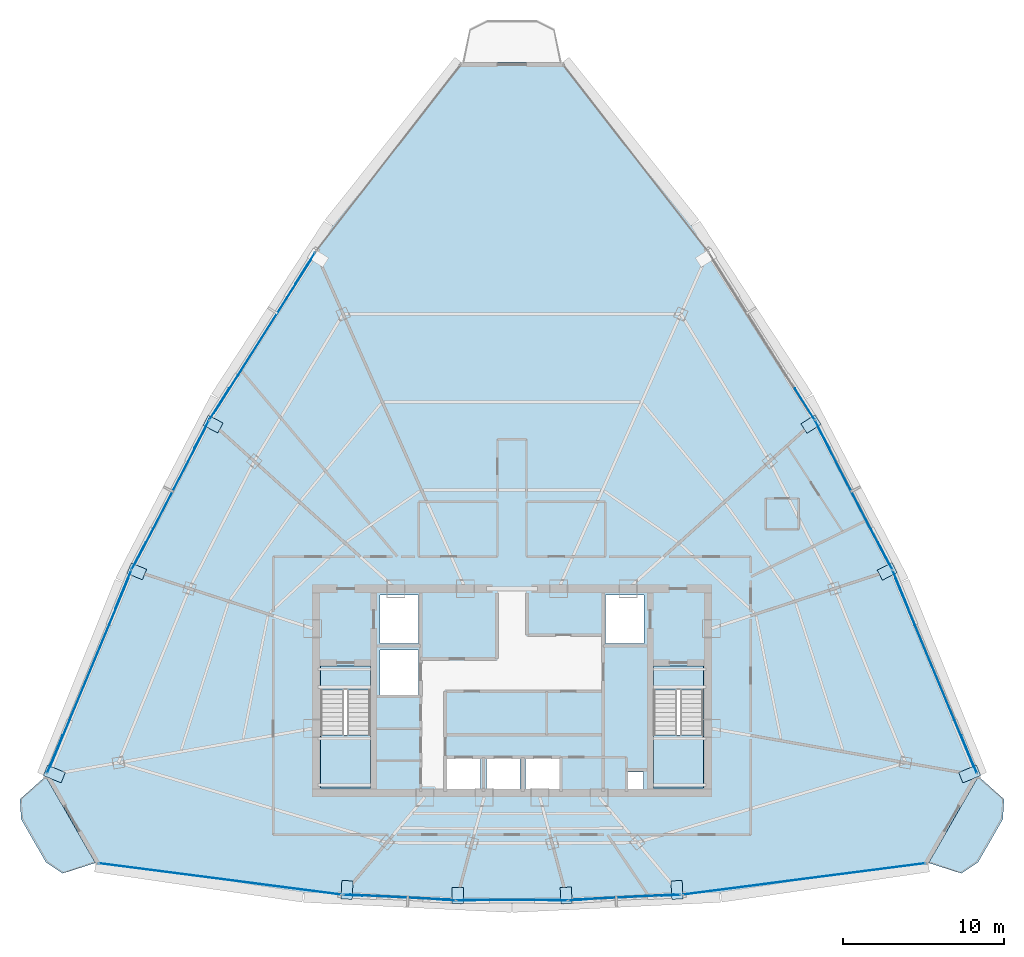
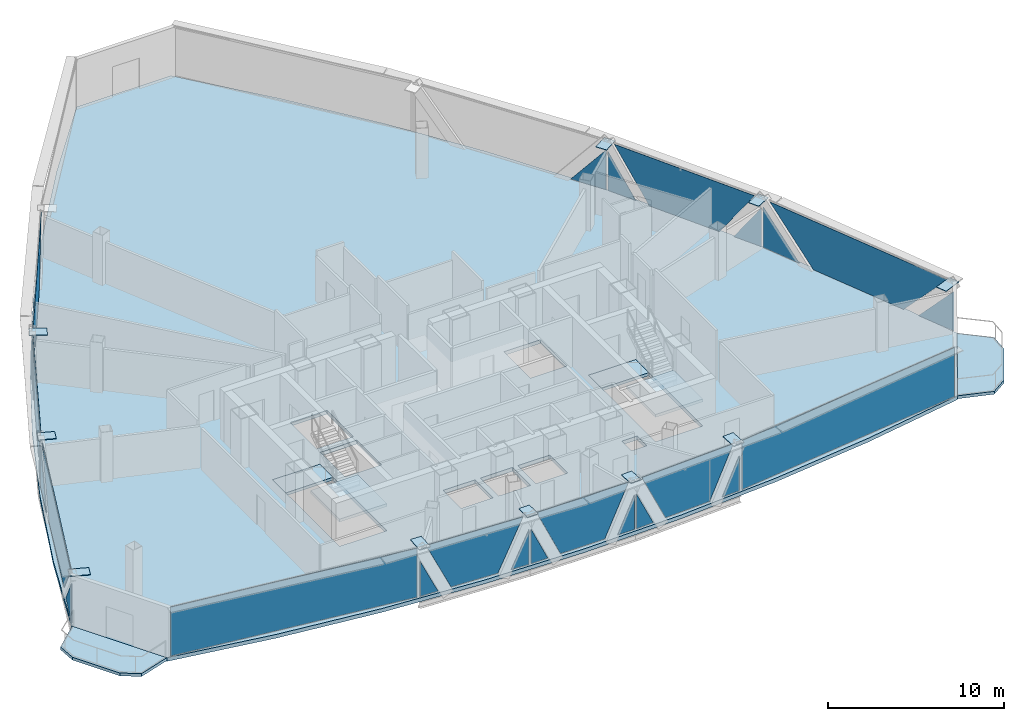
# One storey, part 27 of 34: 37 plates, 7 slabs, 13 elements without a shape of their own.
"""IFC4 building model written with IfcOpenShell, lengths in metres."""

from ifc_helpers import new_model, si_unit, direction, frame, origin, origin_2d, place, context, subcontext, project, spatial, polyline, rectangle, outline, extrude, source, transform, mapped, material, layer, layer_set, type_object, element, aggregate, save


model = new_model("IFC4")

# Units and contexts
model_context = context("Model", 3, precision=1e-05, world=origin(), true_north=direction((0.0, 1.0)))
body_context = subcontext(model_context, "Body", "Model", "MODEL_VIEW")
ifc_project = project(units=[si_unit("LENGTHUNIT", "METRE"), si_unit("AREAUNIT", "SQUARE_METRE"), si_unit("VOLUMEUNIT", "CUBIC_METRE"), si_unit("PLANEANGLEUNIT", "RADIAN"), si_unit("MASSUNIT", "GRAM", prefix="KILO"), si_unit("THERMODYNAMICTEMPERATUREUNIT", "KELVIN"), si_unit("POWERUNIT", "WATT")], contexts=[model_context])

# Site, building, storey
site_placement = place(None, origin())
site = spatial("IfcSite", under=ifc_project, at=site_placement, CompositionType="ELEMENT")
building_placement = place(site_placement, origin())
building = spatial("IfcBuilding", under=site, at=building_placement, Name="Yunzhuo Pagoda Commons", CompositionType="ELEMENT")
storey_placement = place(building_placement, frame((0.0, 0.0, 333.010009765625)))
storey = spatial("IfcBuildingStorey", under=building, at=storey_placement, Name="L83", CompositionType="ELEMENT", Elevation=333.010009765625)

# Curtain wall, plates
ifc_material_1 = material(Name="Anodized aluminium 6063-T6", Category="aluminium")
ifc_layer_1 = layer(ifc_material_1, 0.139892578125)
ifc_layer_set_1 = layer_set([ifc_layer_1], Name="Anodized aluminium 6063-T6")
curtain_wall_type = type_object("IfcCurtainWallType", Name="CW-HI High-Zone Ribbon Curtain Wall", PredefinedType="NOTDEFINED", material=ifc_layer_set_1)
curtain_wall_1_placement = place(storey_placement, origin())
curtain_wall_1 = element("IfcCurtainWall", 1, at=curtain_wall_1_placement, inside=storey, type_object=curtain_wall_type, Name="L83 curtain wall CW-L83-F1B2", PredefinedType="NOTDEFINED")
ifc_material_2 = material(Name="Tempered low-e double glazing", Category="glass")
ifc_layer_2 = layer(ifc_material_2, 0.02587890625)
ifc_layer_set_2 = layer_set([ifc_layer_2], Name="Tempered low-e double glazing")
plate_type_1 = type_object("IfcPlateType", Name="CW-HI-P Low-E Double Glazing 26", PredefinedType="CURTAIN_PANEL", material=ifc_layer_set_2)
plate_1_placement = place(storey_placement, frame((38.115234375, 21.15185546875, 1.26318359375), z_axis=(-0.049850155702, -0.998756708101, 0.0), x_axis=(0.998756708101, -0.049850155702, 0.0)))
plate_1 = element("IfcPlate", 2, at=plate_1_placement, type_object=plate_type_1, Name="CW panel 1.1 lite 1", PredefinedType="CURTAIN_PANEL", context=body_context, shape_type="SweptSolid", body=[
    extrude(outline(polyline([(-0.569580078125, -1.208251953125), (0.569580078125, -1.208251953125), (-0.569580078125, 1.208251953125), (-0.569580078125, -1.208251953125)])), origin(), (0.0, 0.0, 1.0), 0.028076171875),
])
plate_2_placement = place(storey_placement, frame((41.01904296875, 21.037109375, 1.744873046875), z_axis=(-0.049850155702, -0.998756708101, 0.0), x_axis=(0.998756708101, -0.049850155702, 0.0)))
plate_2 = element("IfcPlate", 3, at=plate_2_placement, type_object=plate_type_1, Name="CW panel 1.1 lite 2", PredefinedType="CURTAIN_PANEL", context=body_context, shape_type="SweptSolid", body=[
    extrude(outline(polyline([(-3.089599609375, 1.68994140625), (-1.49609375, -1.68994140625), (1.49609375, -1.68994140625), (3.089599609375, 1.68994140625), (-3.089599609375, 1.68994140625)])), origin(), (0.0, 0.0, 1.0), 0.028076171875),
])
plate_3_placement = place(storey_placement, frame((43.919921875, 20.8623046875, 1.26318359375), z_axis=(-0.049850155702, -0.998756708101, 0.0), x_axis=(0.998756708101, -0.049850155702, 0.0)))
plate_3 = element("IfcPlate", 4, at=plate_3_placement, type_object=plate_type_1, Name="CW panel 1.1 lite 3", PredefinedType="CURTAIN_PANEL", context=body_context, shape_type="SweptSolid", body=[
    extrude(outline(polyline([(-0.569580078125, -1.208251953125), (0.569580078125, -1.208251953125), (0.569580078125, 1.208251953125), (-0.569580078125, -1.208251953125)])), origin(), (0.0, 0.0, 1.0), 0.028076171875),
])
aggregate(curtain_wall_1, [plate_1, plate_2, plate_3])

curtain_wall_2_placement = place(storey_placement, origin())
curtain_wall_2 = element("IfcCurtainWall", 5, at=curtain_wall_2_placement, inside=storey, type_object=curtain_wall_type, Name="L83 curtain wall CW-L83-F1B3", PredefinedType="NOTDEFINED")
plate_4_placement = place(storey_placement, frame((45.159423828125, 20.8310546875, 1.2529296875), z_axis=(0.0, -1.0, 0.0), x_axis=(1.0, 0.0, 0.0)))
plate_4 = element("IfcPlate", 6, at=plate_4_placement, type_object=plate_type_1, Name="CW panel 1.1 lite 1", PredefinedType="CURTAIN_PANEL", context=body_context, shape_type="SweptSolid", body=[
    extrude(outline(polyline([(-0.55126953125, -1.197998046875), (0.551513671875, -1.197998046875), (-0.55126953125, 1.197998046875), (-0.55126953125, -1.197998046875)])), origin(), (0.0, 0.0, 1.0), 0.028076171875),
])
plate_5_placement = place(storey_placement, frame((48.0, 20.86083984375, 1.744873046875), z_axis=(0.0, -1.0, 0.0), x_axis=(1.0, 0.0, 0.0)))
plate_5 = element("IfcPlate", 7, at=plate_5_placement, type_object=plate_type_1, Name="CW panel 1.1 lite 2", PredefinedType="CURTAIN_PANEL", context=body_context, shape_type="SweptSolid", body=[
    extrude(outline(polyline([(-3.00830078125, 1.68994140625), (-1.45263671875, -1.68994140625), (1.45263671875, -1.68994140625), (3.00830078125, 1.68994140625), (-3.00830078125, 1.68994140625)])), origin(), (0.0, 0.0, 1.0), 0.028076171875),
])
plate_6_placement = place(storey_placement, frame((50.840576171875, 20.8310546875, 1.2529296875), z_axis=(0.0, -1.0, 0.0), x_axis=(1.0, 0.0, 0.0)))
plate_6 = element("IfcPlate", 8, at=plate_6_placement, type_object=plate_type_1, Name="CW panel 1.1 lite 3", PredefinedType="CURTAIN_PANEL", context=body_context, shape_type="SweptSolid", body=[
    extrude(outline(polyline([(-0.551513671875, -1.197998046875), (0.55126953125, -1.197998046875), (0.55126953125, 1.197998046875), (-0.551513671875, -1.197998046875)])), origin(), (0.0, 0.0, 1.0), 0.028076171875),
])
aggregate(curtain_wall_2, [plate_4, plate_5, plate_6])

curtain_wall_3_placement = place(storey_placement, origin())
curtain_wall_3 = element("IfcCurtainWall", 9, at=curtain_wall_3_placement, inside=storey, type_object=curtain_wall_type, Name="L83 curtain wall CW-L83-F1B4", PredefinedType="NOTDEFINED")
plate_7_placement = place(storey_placement, frame((52.080078125, 20.8623046875, 1.26318359375), z_axis=(0.049850155702, -0.998756708101, 0.0), x_axis=(0.998756708101, 0.049850155702, 0.0)))
plate_7 = element("IfcPlate", 10, at=plate_7_placement, type_object=plate_type_1, Name="CW panel 1.1 lite 1", PredefinedType="CURTAIN_PANEL", context=body_context, shape_type="SweptSolid", body=[
    extrude(outline(polyline([(-0.569580078125, -1.208251953125), (0.569580078125, -1.208251953125), (-0.569580078125, 1.208251953125), (-0.569580078125, -1.208251953125)])), origin(), (0.0, 0.0, 1.0), 0.028076171875),
])
plate_8_placement = place(storey_placement, frame((54.98095703125, 21.037109375, 1.744873046875), z_axis=(0.049850155702, -0.998756708101, 0.0), x_axis=(0.998756708101, 0.049850155702, 0.0)))
plate_8 = element("IfcPlate", 11, at=plate_8_placement, type_object=plate_type_1, Name="CW panel 1.1 lite 2", PredefinedType="CURTAIN_PANEL", context=body_context, shape_type="SweptSolid", body=[
    extrude(outline(polyline([(-3.089599609375, 1.68994140625), (-1.49609375, -1.68994140625), (1.49609375, -1.68994140625), (3.089599609375, 1.68994140625), (-3.089599609375, 1.68994140625)])), origin(), (0.0, 0.0, 1.0), 0.028076171875),
])
plate_9_placement = place(storey_placement, frame((57.884765625, 21.15185546875, 1.26318359375), z_axis=(0.049850155702, -0.998756708101, 0.0), x_axis=(0.998756708101, 0.049850155702, 0.0)))
plate_9 = element("IfcPlate", 12, at=plate_9_placement, type_object=plate_type_1, Name="CW panel 1.1 lite 3", PredefinedType="CURTAIN_PANEL", context=body_context, shape_type="SweptSolid", body=[
    extrude(outline(polyline([(-0.569580078125, -1.208251953125), (0.569580078125, -1.208251953125), (0.569580078125, 1.208251953125), (-0.569580078125, -1.208251953125)])), origin(), (0.0, 0.0, 1.0), 0.028076171875),
])
aggregate(curtain_wall_3, [plate_7, plate_8, plate_9])

curtain_wall_4_placement = place(storey_placement, origin())
curtain_wall_4 = element("IfcCurtainWall", 13, at=curtain_wall_4_placement, inside=storey, type_object=curtain_wall_type, Name="L83 curtain wall CW-L83-F2B2", PredefinedType="NOTDEFINED")
plate_10_placement = place(storey_placement, frame((76.406982421875, 29.908203125, 1.427978515625), z_axis=(0.923407166951, 0.383821838909, 0.0), x_axis=(-0.383821838909, 0.923407166951, 0.0)))
plate_10 = element("IfcPlate", 14, at=plate_10_placement, type_object=plate_type_1, Name="CW panel 1.1 lite 1", PredefinedType="CURTAIN_PANEL", context=body_context, shape_type="SweptSolid", body=[
    extrude(outline(polyline([(-1.263671875, -1.373046875), (1.263671875, -1.373046875), (-1.263671875, 1.373046875), (-1.263671875, -1.373046875)])), origin(), (0.0, 0.0, 1.0), 0.028076171875),
])
plate_11_placement = place(storey_placement, frame((74.26025390625, 34.99462890625, 1.744873046875), z_axis=(0.923407166951, 0.383821838909, 0.0), x_axis=(-0.383821838909, 0.923407166951, 0.0)))
plate_11 = element("IfcPlate", 15, at=plate_11_placement, type_object=plate_type_1, Name="CW panel 1.1 lite 2", PredefinedType="CURTAIN_PANEL", context=body_context, shape_type="SweptSolid", body=[
    extrude(outline(polyline([(-6.3349609375, 1.68994140625), (-3.224609375, -1.68994140625), (3.224609375, -1.68994140625), (6.3349609375, 1.68994140625), (-6.3349609375, 1.68994140625)])), origin(), (0.0, 0.0, 1.0), 0.028076171875),
])
plate_12_placement = place(storey_placement, frame((72.157958984375, 40.130615234375, 1.459228515625), z_axis=(0.923407166951, 0.383821838909, 0.0), x_axis=(-0.383821838909, 0.923407166951, 0.0)))
plate_12 = element("IfcPlate", 16, at=plate_12_placement, type_object=plate_type_1, Name="CW panel 1.1 lite 3", PredefinedType="CURTAIN_PANEL", context=body_context, shape_type="SweptSolid", body=[
    extrude(outline(polyline([(-1.292236328125, -1.404296875), (1.292236328125, -1.404296875), (1.292236328125, 1.404296875), (-1.292236328125, -1.404296875)])), origin(), (0.0, 0.0, 1.0), 0.028076171875),
])
aggregate(curtain_wall_4, [plate_10, plate_11, plate_12])

curtain_wall_5_placement = place(storey_placement, origin())
curtain_wall_5 = element("IfcCurtainWall", 17, at=curtain_wall_5_placement, inside=storey, type_object=curtain_wall_type, Name="L83 curtain wall CW-L83-F2B3", PredefinedType="NOTDEFINED")
plate_13_placement = place(storey_placement, frame((71.181396484375, 42.262451171875, 1.397216796875), z_axis=(0.88794759819, 0.45994463022, 0.0), x_axis=(-0.45994463022, 0.88794759819, 0.0)))
plate_13 = element("IfcPlate", 18, at=plate_13_placement, type_object=plate_type_1, Name="CW panel 1.1 lite 1", PredefinedType="CURTAIN_PANEL", context=body_context, shape_type="SweptSolid", body=[
    extrude(outline(polyline([(-0.935302734375, -1.34228515625), (0.935302734375, -1.34228515625), (-0.935302734375, 1.34228515625), (-0.935302734375, -1.34228515625)])), origin(), (0.0, 0.0, 1.0), 0.028076171875),
])
plate_14_placement = place(storey_placement, frame((69.208740234375, 46.005859375, 1.744873046875), z_axis=(0.88794759819, 0.45994463022, 0.0), x_axis=(-0.45994463022, 0.88794759819, 0.0)))
plate_14 = element("IfcPlate", 19, at=plate_14_placement, type_object=plate_type_1, Name="CW panel 1.1 lite 2", PredefinedType="CURTAIN_PANEL", context=body_context, shape_type="SweptSolid", body=[
    extrude(outline(polyline([(-4.72509765625, 1.68994140625), (-2.36962890625, -1.68994140625), (2.36962890625, -1.68994140625), (4.72509765625, 1.68994140625), (-4.72509765625, 1.68994140625)])), origin(), (0.0, 0.0, 1.0), 0.028076171875),
])
plate_15_placement = place(storey_placement, frame((67.2890625, 49.77685546875, 1.397216796875), z_axis=(0.88794759819, 0.45994463022, 0.0), x_axis=(-0.45994463022, 0.88794759819, 0.0)))
plate_15 = element("IfcPlate", 20, at=plate_15_placement, type_object=plate_type_1, Name="CW panel 1.1 lite 3", PredefinedType="CURTAIN_PANEL", context=body_context, shape_type="SweptSolid", body=[
    extrude(outline(polyline([(-0.935302734375, -1.34228515625), (0.935302734375, -1.34228515625), (0.935302734375, 1.34228515625), (-0.935302734375, -1.34228515625)])), origin(), (0.0, 0.0, 1.0), 0.028076171875),
])
aggregate(curtain_wall_5, [plate_13, plate_14, plate_15])

# Curtain wall, plate
curtain_wall_6_placement = place(storey_placement, origin())
curtain_wall_6 = element("IfcCurtainWall", 21, at=curtain_wall_6_placement, inside=storey, type_object=curtain_wall_type, Name="L83 curtain wall CW-L83-F2B4", PredefinedType="NOTDEFINED")
plate_16_placement = place(storey_placement, frame((66.188720703125, 51.676025390625, 1.43798828125), z_axis=(0.845148830397, 0.534531060349, 0.0), x_axis=(-0.534531060349, 0.845148830397, 0.0)))
plate_16 = element("IfcPlate", 22, at=plate_16_placement, type_object=plate_type_1, Name="CW panel 1.1 lite 1", PredefinedType="CURTAIN_PANEL", context=body_context, shape_type="SweptSolid", body=[
    extrude(outline(polyline([(-1.142822265625, -1.3828125), (1.142578125, -1.3828125), (-1.142822265625, 1.3828125), (-1.142822265625, -1.3828125)])), origin(), (0.0, 0.0, 1.0), 0.028076171875),
])
aggregate(curtain_wall_6, [plate_16])

# Curtain wall, plates
curtain_wall_7_placement = place(storey_placement, origin())
curtain_wall_7 = element("IfcCurtainWall", 23, at=curtain_wall_7_placement, inside=storey, type_object=curtain_wall_type, Name="L83 curtain wall CW-L83-F3B2", PredefinedType="NOTDEFINED")
plate_17_placement = place(storey_placement, frame((35.15087890625, 60.11865234375, 1.43798828125), z_axis=(-0.845148830397, 0.534531060349, 0.0), x_axis=(-0.534531060349, -0.845148830397, 0.0)))
plate_17 = element("IfcPlate", 24, at=plate_17_placement, type_object=plate_type_1, Name="CW panel 1.1 lite 1", PredefinedType="CURTAIN_PANEL", context=body_context, shape_type="SweptSolid", body=[
    extrude(outline(polyline([(-1.142822265625, -1.3828125), (1.142578125, -1.3828125), (-1.142822265625, 1.3828125), (-1.142822265625, -1.3828125)])), origin(), (0.0, 0.0, 1.0), 0.028076171875),
])
plate_18_placement = place(storey_placement, frame((32.50634765625, 55.88134765625, 1.744873046875), z_axis=(-0.845148830397, 0.534531060349, 0.0), x_axis=(-0.534531060349, -0.845148830397, 0.0)))
plate_18 = element("IfcPlate", 25, at=plate_18_placement, type_object=plate_type_1, Name="CW panel 1.1 lite 2", PredefinedType="CURTAIN_PANEL", context=body_context, shape_type="SweptSolid", body=[
    extrude(outline(polyline([(-5.6591796875, 1.68994140625), (-2.8662109375, -1.68994140625), (2.8662109375, -1.68994140625), (5.6591796875, 1.68994140625), (-5.6591796875, 1.68994140625)])), origin(), (0.0, 0.0, 1.0), 0.028076171875),
])
plate_19_placement = place(storey_placement, frame((29.811279296875, 51.676025390625, 1.43798828125), z_axis=(-0.845148830397, 0.534531060349, 0.0), x_axis=(-0.534531060349, -0.845148830397, 0.0)))
plate_19 = element("IfcPlate", 26, at=plate_19_placement, type_object=plate_type_1, Name="CW panel 1.1 lite 3", PredefinedType="CURTAIN_PANEL", context=body_context, shape_type="SweptSolid", body=[
    extrude(outline(polyline([(-1.142578125, -1.3828125), (1.142822265625, -1.3828125), (1.142822265625, 1.3828125), (-1.142578125, -1.3828125)])), origin(), (0.0, 0.0, 1.0), 0.028076171875),
])
aggregate(curtain_wall_7, [plate_17, plate_18, plate_19])

curtain_wall_8_placement = place(storey_placement, origin())
curtain_wall_8 = element("IfcCurtainWall", 27, at=curtain_wall_8_placement, inside=storey, type_object=curtain_wall_type, Name="L83 curtain wall CW-L83-F3B3", PredefinedType="NOTDEFINED")
plate_20_placement = place(storey_placement, frame((28.7109375, 49.77685546875, 1.397216796875), z_axis=(-0.88794759819, 0.45994463022, 0.0), x_axis=(-0.45994463022, -0.88794759819, 0.0)))
plate_20 = element("IfcPlate", 28, at=plate_20_placement, type_object=plate_type_1, Name="CW panel 1.1 lite 1", PredefinedType="CURTAIN_PANEL", context=body_context, shape_type="SweptSolid", body=[
    extrude(outline(polyline([(-0.935302734375, -1.34228515625), (0.935302734375, -1.34228515625), (-0.935302734375, 1.34228515625), (-0.935302734375, -1.34228515625)])), origin(), (0.0, 0.0, 1.0), 0.028076171875),
])
plate_21_placement = place(storey_placement, frame((26.791259765625, 46.005859375, 1.744873046875), z_axis=(-0.88794759819, 0.45994463022, 0.0), x_axis=(-0.45994463022, -0.88794759819, 0.0)))
plate_21 = element("IfcPlate", 29, at=plate_21_placement, type_object=plate_type_1, Name="CW panel 1.1 lite 2", PredefinedType="CURTAIN_PANEL", context=body_context, shape_type="SweptSolid", body=[
    extrude(outline(polyline([(-4.72509765625, 1.68994140625), (-2.36962890625, -1.68994140625), (2.36962890625, -1.68994140625), (4.72509765625, 1.68994140625), (-4.72509765625, 1.68994140625)])), origin(), (0.0, 0.0, 1.0), 0.028076171875),
])
plate_22_placement = place(storey_placement, frame((24.818603515625, 42.262451171875, 1.397216796875), z_axis=(-0.88794759819, 0.45994463022, 0.0), x_axis=(-0.45994463022, -0.88794759819, 0.0)))
plate_22 = element("IfcPlate", 30, at=plate_22_placement, type_object=plate_type_1, Name="CW panel 1.1 lite 3", PredefinedType="CURTAIN_PANEL", context=body_context, shape_type="SweptSolid", body=[
    extrude(outline(polyline([(-0.935302734375, -1.34228515625), (0.935302734375, -1.34228515625), (0.935302734375, 1.34228515625), (-0.935302734375, -1.34228515625)])), origin(), (0.0, 0.0, 1.0), 0.028076171875),
])
aggregate(curtain_wall_8, [plate_20, plate_21, plate_22])

curtain_wall_9_placement = place(storey_placement, origin())
curtain_wall_9 = element("IfcCurtainWall", 31, at=curtain_wall_9_placement, inside=storey, type_object=curtain_wall_type, Name="L83 curtain wall CW-L83-F3B4", PredefinedType="NOTDEFINED")
plate_23_placement = place(storey_placement, frame((23.842041015625, 40.130615234375, 1.459228515625), z_axis=(-0.923407166951, 0.383821838909, 0.0), x_axis=(-0.383821838909, -0.923407166951, 0.0)))
plate_23 = element("IfcPlate", 32, at=plate_23_placement, type_object=plate_type_1, Name="CW panel 1.1 lite 1", PredefinedType="CURTAIN_PANEL", context=body_context, shape_type="SweptSolid", body=[
    extrude(outline(polyline([(-1.292236328125, -1.404296875), (1.292236328125, -1.404296875), (-1.292236328125, 1.404296875), (-1.292236328125, -1.404296875)])), origin(), (0.0, 0.0, 1.0), 0.028076171875),
])
plate_24_placement = place(storey_placement, frame((21.73974609375, 34.99462890625, 1.744873046875), z_axis=(-0.923407166951, 0.383821838909, 0.0), x_axis=(-0.383821838909, -0.923407166951, 0.0)))
plate_24 = element("IfcPlate", 33, at=plate_24_placement, type_object=plate_type_1, Name="CW panel 1.1 lite 2", PredefinedType="CURTAIN_PANEL", context=body_context, shape_type="SweptSolid", body=[
    extrude(outline(polyline([(-6.3349609375, 1.68994140625), (-3.224609375, -1.68994140625), (3.224609375, -1.68994140625), (6.3349609375, 1.68994140625), (-6.3349609375, 1.68994140625)])), origin(), (0.0, 0.0, 1.0), 0.028076171875),
])
plate_25_placement = place(storey_placement, frame((19.593017578125, 29.908203125, 1.427978515625), z_axis=(-0.923407166951, 0.383821838909, 0.0), x_axis=(-0.383821838909, -0.923407166951, 0.0)))
plate_25 = element("IfcPlate", 34, at=plate_25_placement, type_object=plate_type_1, Name="CW panel 1.1 lite 3", PredefinedType="CURTAIN_PANEL", context=body_context, shape_type="SweptSolid", body=[
    extrude(outline(polyline([(-1.263671875, -1.373046875), (1.263671875, -1.373046875), (1.263671875, 1.373046875), (-1.263671875, -1.373046875)])), origin(), (0.0, 0.0, 1.0), 0.028076171875),
])
aggregate(curtain_wall_9, [plate_23, plate_24, plate_25])

# Slabs
ifc_material_3 = material(Name="Concrete C40", Category="concrete")
ifc_layer_3 = layer(ifc_material_3, 0.199951171875)
ifc_layer_set_3 = layer_set([ifc_layer_3], Name="Concrete C40")
slab_type_1 = type_object("IfcSlabType", Name="SL-BAL Vertex Balcony Deck Slab 200", PredefinedType="FLOOR", material=ifc_layer_set_3)
slab_1_placement = place(storey_placement, frame((0.0, 0.0, -0.199951171875)))
element("IfcSlab", 35, at=slab_1_placement, inside=storey, type_object=slab_type_1, Name="L83 corner balcony V1", PredefinedType="FLOOR", context=body_context, shape_type="SweptSolid", body=[
    extrude(outline(polyline([(19.00244140625, 28.541748046875), (22.095947265625, 23.15380859375), (20.054931640625, 22.5009765625), (19.02880859375, 23.183837890625), (17.48193359375, 25.877685546875), (17.40966796875, 27.1083984375), (19.00244140625, 28.541748046875)])), origin(), (0.0, 0.0, 1.0), 0.199951171875),
])
slab_2_placement = place(storey_placement, frame((0.0, 0.0, -0.199951171875)))
element("IfcSlab", 36, at=slab_2_placement, inside=storey, type_object=slab_type_1, Name="L83 corner balcony V2", PredefinedType="FLOOR", context=body_context, shape_type="SweptSolid", body=[
    extrude(outline(polyline([(73.904052734375, 23.15380859375), (76.99755859375, 28.541748046875), (78.59033203125, 27.1083984375), (78.51806640625, 25.877685546875), (76.97119140625, 23.183837890625), (75.945068359375, 22.5009765625), (73.904052734375, 23.15380859375)])), origin(), (0.0, 0.0, 1.0), 0.199951171875),
])

# Stair, slabs
stair_type_1 = type_object("IfcStairType", Name="ST-C1 Core Smokeproof Stair ST1", PredefinedType="HALF_TURN_STAIR", material=ifc_material_3)
stair_1_placement = place(storey_placement, origin())
stair_1 = element("IfcStair", 37, at=stair_1_placement, inside=storey, type_object=stair_type_1, Name="L83 Core smokeproof stair ST1", PredefinedType="HALF_TURN_STAIR")
ifc_layer_4 = layer(ifc_material_3, 0.199951171875)
ifc_layer_set_4 = layer_set([ifc_layer_4], Name="Concrete C40")
slab_type_2 = type_object("IfcSlabType", Name="SL-LND1 Stair Landing Slab 200", PredefinedType="LANDING", material=ifc_layer_set_4)
slab_3_placement = place(storey_placement, frame((0.0, 0.0, 1.675048828125)))
slab_3 = element("IfcSlab", 38, at=slab_3_placement, type_object=slab_type_2, Name="ST1 landing 1", PredefinedType="LANDING", context=body_context, shape_type="SweptSolid", body=[
    extrude(outline(polyline([(36.10009765625, 31.10009765625), (36.10009765625, 27.800048828125), (39.199951171875, 27.800048828125), (39.199951171875, 31.10009765625), (36.10009765625, 31.10009765625)])), origin(), (0.0, 0.0, 1.0), 0.199951171875),
])
slab_4_placement = place(storey_placement, frame((0.0, 0.0, -0.199951171875)))
slab_4 = element("IfcSlab", 39, at=slab_4_placement, type_object=slab_type_2, Name="ST1 floor landing L83", PredefinedType="LANDING", context=body_context, shape_type="SweptSolid", body=[
    extrude(outline(polyline([(36.10009765625, 35.39990234375), (36.10009765625, 33.89990234375), (39.199951171875, 33.89990234375), (39.199951171875, 35.39990234375), (36.10009765625, 35.39990234375)])), origin(), (0.0, 0.0, 1.0), 0.199951171875),
])
aggregate(stair_1, [slab_3, slab_4])

stair_type_2 = type_object("IfcStairType", Name="ST-C2 Core Smokeproof Stair ST2", PredefinedType="HALF_TURN_STAIR", material=ifc_material_3)
stair_2_placement = place(storey_placement, origin())
stair_2 = element("IfcStair", 40, at=stair_2_placement, inside=storey, type_object=stair_type_2, Name="L83 Core smokeproof stair ST2", PredefinedType="HALF_TURN_STAIR")
ifc_layer_5 = layer(ifc_material_3, 0.201904296875)
ifc_layer_set_5 = layer_set([ifc_layer_5], Name="Concrete C40")
slab_type_3 = type_object("IfcSlabType", Name="SL-LND2 Stair Landing Slab 202", PredefinedType="LANDING", material=ifc_layer_set_5)
slab_5_placement = place(storey_placement, frame((0.0, 0.0, 1.675048828125)))
slab_5 = element("IfcSlab", 41, at=slab_5_placement, type_object=slab_type_3, Name="ST2 landing 1", PredefinedType="LANDING", context=body_context, shape_type="SweptSolid", body=[
    extrude(outline(polyline([(56.800048828125, 31.10009765625), (56.800048828125, 27.800048828125), (59.89990234375, 27.800048828125), (59.89990234375, 31.10009765625), (56.800048828125, 31.10009765625)])), origin(), (0.0, 0.0, 1.0), 0.199951171875),
])
slab_6_placement = place(storey_placement, frame((0.0, 0.0, -0.199951171875)))
slab_6 = element("IfcSlab", 42, at=slab_6_placement, type_object=slab_type_3, Name="ST2 floor landing L83", PredefinedType="LANDING", context=body_context, shape_type="SweptSolid", body=[
    extrude(outline(polyline([(56.800048828125, 35.39990234375), (56.800048828125, 33.89990234375), (59.89990234375, 33.89990234375), (59.89990234375, 35.39990234375), (56.800048828125, 35.39990234375)])), origin(), (0.0, 0.0, 1.0), 0.199951171875),
])
aggregate(stair_2, [slab_5, slab_6])

# Slab
ifc_layer_6 = layer(ifc_material_3, 0.260009765625)
ifc_layer_set_6 = layer_set([ifc_layer_6], Name="Concrete C40")
slab_type_4 = type_object("IfcSlabType", Name="SL-TWR Typical Tower Floor Slab 260", PredefinedType="FLOOR", material=ifc_layer_set_6)
slab_7_placement = place(storey_placement, frame((0.0, 0.0, -0.260009765625)))
element("IfcSlab", 43, at=slab_7_placement, inside=storey, type_object=slab_type_4, Name="L83 structural floor slab", PredefinedType="FLOOR", context=body_context, shape_type="SweptSolid", body=[
    extrude(outline(polyline([(21.291748046875, 34.646240234375), (23.84912109375, 40.589599609375), (26.67822265625, 46.373779296875), (29.77978515625, 51.99951171875), (33.1533203125, 57.46630859375), (36.798828125, 62.774169921875), (40.716552734375, 67.923095703125), (44.906494140625, 72.913330078125), (51.093505859375, 72.913330078125), (55.283447265625, 67.923095703125), (59.201171875, 62.774169921875), (62.8466796875, 57.46630859375), (66.22021484375, 51.99951171875), (69.32177734375, 46.373779296875), (72.15087890625, 40.589599609375), (74.708251953125, 34.646240234375), (76.993408203125, 28.544189453125), (73.89990234375, 23.156494140625), (67.4248046875, 22.0537109375), (60.949951171875, 21.265869140625), (54.474853515625, 20.793212890625), (48.0, 20.6357421875), (41.525146484375, 20.793212890625), (35.050048828125, 21.265869140625), (28.5751953125, 22.0537109375), (22.10009765625, 23.156494140625), (19.006591796875, 28.544189453125), (21.291748046875, 34.646240234375)]), holes=[polyline([(56.179931640625, 28.800048828125), (55.179931640625, 28.800048828125), (55.179931640625, 27.699951171875), (56.179931640625, 27.699951171875), (56.179931640625, 28.800048828125)]), polyline([(46.050048828125, 29.64990234375), (43.949951171875, 29.64990234375), (43.949951171875, 27.60009765625), (46.050048828125, 27.60009765625), (46.050048828125, 29.64990234375)]), polyline([(48.5, 29.64990234375), (46.39990234375, 29.64990234375), (46.39990234375, 27.60009765625), (48.5, 27.60009765625), (48.5, 29.64990234375)]), polyline([(50.949951171875, 29.64990234375), (48.85009765625, 29.64990234375), (48.85009765625, 27.60009765625), (50.949951171875, 27.60009765625), (50.949951171875, 29.64990234375)]), polyline([(39.199951171875, 27.800048828125), (39.199951171875, 35.39990234375), (36.10009765625, 35.39990234375), (36.10009765625, 27.800048828125), (39.199951171875, 27.800048828125)]), polyline([(59.89990234375, 27.800048828125), (59.89990234375, 35.39990234375), (56.800048828125, 35.39990234375), (56.800048828125, 27.800048828125), (59.89990234375, 27.800048828125)]), polyline([(42.199951171875, 36.39990234375), (39.800048828125, 36.39990234375), (39.800048828125, 33.60009765625), (42.199951171875, 33.60009765625), (42.199951171875, 36.39990234375)]), polyline([(42.199951171875, 36.800048828125), (42.199951171875, 39.800048828125), (39.800048828125, 39.800048828125), (39.800048828125, 36.800048828125), (42.199951171875, 36.800048828125)]), polyline([(56.199951171875, 36.800048828125), (56.199951171875, 39.800048828125), (53.800048828125, 39.800048828125), (53.800048828125, 36.800048828125), (56.199951171875, 36.800048828125)])]), origin(), (0.0, 0.0, 1.0), 0.260009765625),
])

# Plates
ifc_material_4 = material(Name="Structural steel Q355B", Category="steel")
ifc_layer_7 = layer(ifc_material_4, 0.028076171875)
ifc_layer_set_7 = layer_set([ifc_layer_7], Name="Structural steel Q355B")
plate_type_2 = type_object("IfcPlateType", Name="SP-ND1 Lattice Node Cap Plate 800x500x28", PredefinedType="USERDEFINED", material=ifc_layer_set_7)
shared_shape_1 = source(origin(), body_context, "Body", "SweptSolid", [
    extrude(rectangle(XDim=0.699951171875, YDim=1.0078125, at=origin_2d()), origin(), (0.0, 0.0, 1.0), 0.035888671875),
])
for number, where, z_axis, x_axis, name in (
    (44, (44.63330078125, 21.134765625, 3.4521484375), (0.0, 0.0, 1.0), (1.0, 0.0, 0.0), "L83 setback lattice tie plate F1.2L"),
    (45, (51.36669921875, 21.134765625, 3.4521484375), (0.0, 0.0, 1.0), (0.998757045498, 0.049843395432, 0.0), "L83 setback lattice tie plate F1.3L"),
):
    element("IfcPlate", number, at=place(storey_placement, frame(where, z_axis=z_axis, x_axis=x_axis)), inside=storey, type_object=plate_type_2, Name=name, ObjectType="STIFFENER_PLATE", PredefinedType="USERDEFINED", context=body_context, shape_type="MappedRepresentation", body=[
        mapped(shared_shape_1, transform((0.0, 0.0, 0.0), scale=1.0)),
    ])
shared_shape_2 = source(origin(), body_context, "Body", "SweptSolid", [
    extrude(rectangle(XDim=0.699951171875, YDim=1.03564453125, at=origin_2d()), origin(), (0.0, 0.0, 1.0), 0.035888671875),
])
for number, where, z_axis, x_axis, name in (
    (46, (66.5888671875, 50.4375, 3.4521484375), (0.0, 0.0, 1.0), (-0.534529368893, 0.84514990019, 0.0), "L83 setback lattice tie plate F2.3L"),
    (47, (29.4111328125, 50.4375, 3.4521484375), (0.0, 0.0, 1.0), (-0.459951842017, -0.887943862541, 0.0), "L83 setback lattice tie plate F3.2L"),
):
    element("IfcPlate", number, at=place(storey_placement, frame(where, z_axis=z_axis, x_axis=x_axis)), inside=storey, type_object=plate_type_2, Name=name, ObjectType="STIFFENER_PLATE", PredefinedType="USERDEFINED", context=body_context, shape_type="MappedRepresentation", body=[
        mapped(shared_shape_2, transform((0.0, 0.0, 0.0), scale=1.0)),
    ])
shared_shape_3 = source(origin(), body_context, "Body", "SweptSolid", [
    extrude(rectangle(XDim=0.699951171875, YDim=1.0322265625, at=origin_2d()), origin(), (0.0, 0.0, 1.0), 0.035888671875),
])
for number, where, z_axis, x_axis, name in (
    (48, (71.327392578125, 41.279541015625, 3.4521484375), (0.0, 0.0, 1.0), (-0.459951842017, 0.887943862541, 0.0), "L83 setback lattice tie plate F2.2L"),
    (49, (24.672607421875, 41.279541015625, 3.4521484375), (0.0, 0.0, 1.0), (-0.378567847265, -0.925573543819, 0.0), "L83 setback lattice tie plate F3.3L"),
):
    element("IfcPlate", number, at=place(storey_placement, frame(where, z_axis=z_axis, x_axis=x_axis)), inside=storey, type_object=plate_type_2, Name=name, ObjectType="STIFFENER_PLATE", PredefinedType="USERDEFINED", context=body_context, shape_type="MappedRepresentation", body=[
        mapped(shared_shape_3, transform((0.0, 0.0, 0.0), scale=1.0)),
    ])
shared_shape_4 = source(origin(), body_context, "Body", "SweptSolid", [
    extrude(rectangle(XDim=0.699951171875, YDim=1.14892578125, at=origin_2d()), origin(), (0.0, 0.0, 1.0), 0.035888671875),
])
for number, where, z_axis, x_axis, name in (
    (50, (37.742431640625, 21.475341796875, 3.4521484375), (0.0, 0.0, 1.0), (0.998757045498, -0.049843395432, 0.0), "L83 setback lattice tie plate F1.1L"),
    (51, (58.257568359375, 21.475341796875, 3.4521484375), (0.0, 0.0, 1.0), (0.998757045498, 0.049843395432, 0.0), "L83 setback lattice tie plate F1.3R"),
):
    element("IfcPlate", number, at=place(storey_placement, frame(where, z_axis=z_axis, x_axis=x_axis)), inside=storey, type_object=plate_type_2, Name=name, ObjectType="STIFFENER_PLATE", PredefinedType="USERDEFINED", context=body_context, shape_type="MappedRepresentation", body=[
        mapped(shared_shape_4, transform((0.0, 0.0, 0.0), scale=1.0)),
    ])
shared_shape_5 = source(origin(), body_context, "Body", "SweptSolid", [
    extrude(rectangle(XDim=0.699951171875, YDim=1.202392578125, at=origin_2d()), origin(), (0.0, 0.0, 1.0), 0.035888671875),
])
for number, where, z_axis, x_axis, name in (
    (52, (76.457763671875, 28.68212890625, 3.4521484375), (0.0, 0.0, 1.0), (-0.378567847265, 0.925573543819, 0.0), "L83 setback lattice tie plate F2.1L"),
    (53, (19.542236328125, 28.68212890625, 3.4521484375), (0.0, 0.0, 1.0), (-0.378567847265, -0.925573543819, 0.0), "L83 setback lattice tie plate F3.3R"),
):
    element("IfcPlate", number, at=place(storey_placement, frame(where, z_axis=z_axis, x_axis=x_axis)), inside=storey, type_object=plate_type_2, Name=name, ObjectType="STIFFENER_PLATE", PredefinedType="USERDEFINED", context=body_context, shape_type="MappedRepresentation", body=[
        mapped(shared_shape_5, transform((0.0, 0.0, 0.0), scale=1.0)),
    ])

# Curtain wall, plate
curtain_wall_10_placement = place(storey_placement, origin())
curtain_wall_10 = element("IfcCurtainWall", 54, at=curtain_wall_10_placement, inside=storey, type_object=curtain_wall_type, Name="L83 curtain wall CW-L83-F1B1", PredefinedType="NOTDEFINED")
shared_shape_6 = source(origin(), body_context, "Body", "SweptSolid", [
    extrude(rectangle(XDim=15.1572265625, YDim=0.028076171875, at=origin_2d()), origin(), (0.0, 0.0, 1.0), 3.3798828125),
])
plate_26_placement = place(storey_placement, frame((29.835693359375, 22.158935546875, 0.054931640625), z_axis=(0.0, 0.0, 1.0), x_axis=(0.991738505453, -0.128276018031, 0.0)))
plate_26 = element("IfcPlate", 55, at=plate_26_placement, type_object=plate_type_1, Name="CW panel 1.1", PredefinedType="CURTAIN_PANEL", context=body_context, shape_type="MappedRepresentation", body=[
    mapped(shared_shape_6, transform((0.0, 0.0, 0.0), scale=1.0)),
])
aggregate(curtain_wall_10, [plate_26])

curtain_wall_11_placement = place(storey_placement, origin())
curtain_wall_11 = element("IfcCurtainWall", 56, at=curtain_wall_11_placement, inside=storey, type_object=curtain_wall_type, Name="L83 curtain wall CW-L83-F1B5", PredefinedType="NOTDEFINED")
plate_27_placement = place(storey_placement, frame((66.164306640625, 22.158935546875, 0.054931640625), z_axis=(0.0, 0.0, 1.0), x_axis=(0.991738505453, 0.128276018031, 0.0)))
plate_27 = element("IfcPlate", 57, at=plate_27_placement, type_object=plate_type_1, Name="CW panel 1.1", PredefinedType="CURTAIN_PANEL", context=body_context, shape_type="MappedRepresentation", body=[
    mapped(shared_shape_6, transform((0.0, 0.0, 0.0), scale=1.0)),
])
aggregate(curtain_wall_11, [plate_27])

save(model, "model.ifc")
